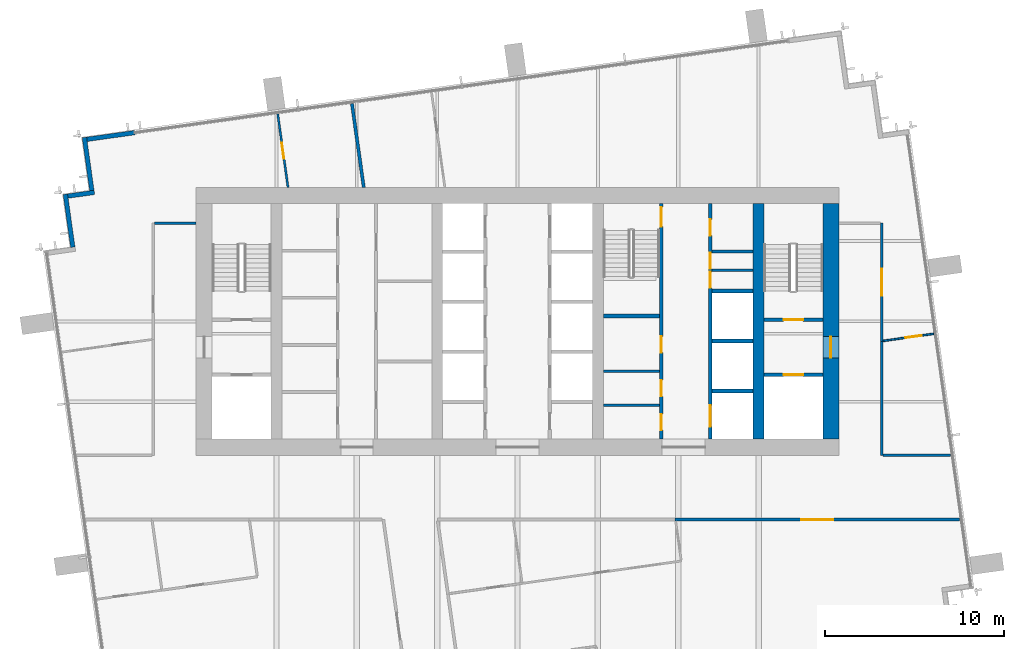
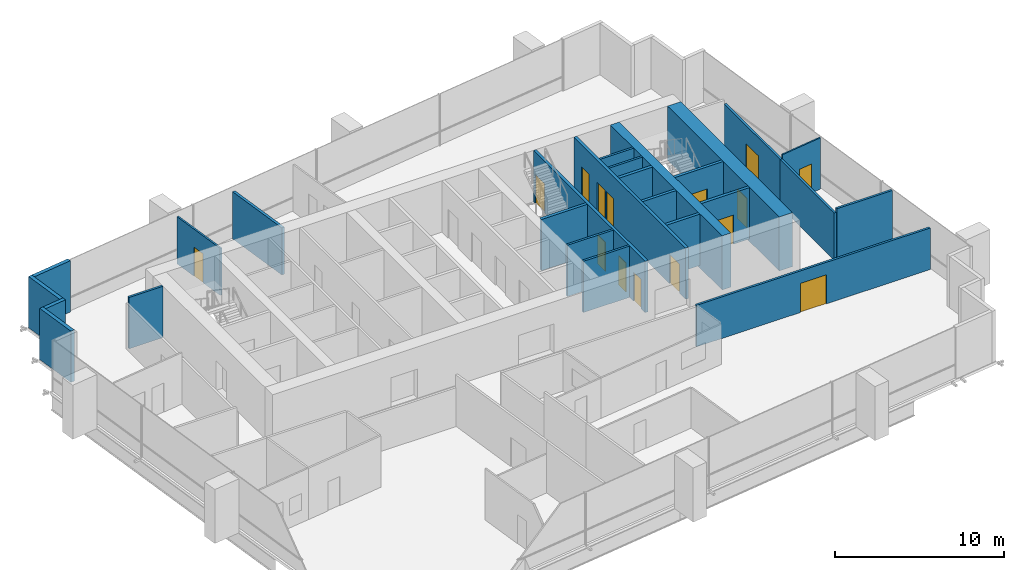
# One storey, part 10 of 12: 26 walls, 15 doors, 15 openings.
"""IFC4 building model written with IfcOpenShell, lengths in metres."""

from ifc_helpers import new_model, si_unit, direction, frame, frame_2d, origin, place, context, subcontext, project, spatial, rectangle, extrude, material, layer, layer_set, type_object, element, fill, save


model = new_model("IFC4")

# Units and contexts
model_context = context("Model", 3, precision=1e-05, world=origin(), true_north=direction((0.0, 1.0)))
body_context = subcontext(model_context, "Body", "Model", "MODEL_VIEW")
ifc_project = project(units=[si_unit("LENGTHUNIT", "METRE"), si_unit("AREAUNIT", "SQUARE_METRE"), si_unit("VOLUMEUNIT", "CUBIC_METRE"), si_unit("PLANEANGLEUNIT", "RADIAN"), si_unit("MASSUNIT", "GRAM", prefix="KILO")], contexts=[model_context])

# Site, building, storey
site_placement = place(None, origin())
site = spatial("IfcSite", under=ifc_project, at=site_placement, CompositionType="ELEMENT")
building_placement = place(site_placement, origin())
building = spatial("IfcBuilding", under=site, at=building_placement, Name="Rattan Terrace Tower", CompositionType="ELEMENT")
storey_placement = place(building_placement, frame((0.0, 0.0, 259.0)))
storey = spatial("IfcBuildingStorey", under=building, at=storey_placement, Name="L59", CompositionType="ELEMENT", Elevation=259.0)

# Walls
ifc_material_1 = material(Name="Gypsum board partition")
ifc_layer_1 = layer(ifc_material_1, 0.14990234375)
ifc_layer_set_1 = layer_set([ifc_layer_1], Name="Core partition 150")
wall_type_1 = type_object("IfcWallType", Name="Core partition 150", PredefinedType="PARTITIONING", material=ifc_layer_set_1)
for number, where, z_axis, x_axis, name in (
    (1, (4.800048828125, -4.696044921875, 0.0), (0.0, 0.0, 1.0), (1.0, 0.0, 0.0), "Toilet wall"),
    (2, (4.800048828125, -2.7919921875, 0.0), (0.0, 0.0, 1.0), (1.0, 0.0, 0.0), "Toilet wall"),
):
    element("IfcWall", number, at=place(storey_placement, frame(where, z_axis=z_axis, x_axis=x_axis)), inside=storey, type_object=wall_type_1, Name=name, PredefinedType="PARTITIONING", context=body_context, shape_type="SweptSolid", body=[
        extrude(rectangle(XDim=3.14990234375, YDim=0.14990234375, at=frame_2d((1.574951171875, 0.0))), origin(), (0.0, 0.0, 1.0), 3.699951171875),
    ])
for number, where, z_axis, x_axis, name in (
    (3, (10.89990234375, 2.85595703125, 0.0), (0.0, 0.0, 1.0), (1.0, 0.0, 0.0), "Riser room wall"),
    (4, (10.89990234375, 3.912109375, 0.0), (0.0, 0.0, 1.0), (1.0, 0.0, 0.0), "Riser room wall"),
):
    element("IfcWall", number, at=place(storey_placement, frame(where, z_axis=z_axis, x_axis=x_axis)), inside=storey, type_object=wall_type_1, Name=name, PredefinedType="PARTITIONING", context=body_context, shape_type="SweptSolid", body=[
        extrude(rectangle(XDim=2.300048828125, YDim=0.14990234375, at=frame_2d((1.14990234375, 0.0))), origin(), (0.0, 0.0, 1.0), 3.699951171875),
    ])

# Wall, opening, door
ifc_material_2 = material(Name="Gypsum board partition")
ifc_layer_2 = layer(ifc_material_2, 0.199951171875)
ifc_layer_set_2 = layer_set([ifc_layer_2], Name="Core partition 200")
wall_type_2 = type_object("IfcWallType", Name="Core partition 200", PredefinedType="PARTITIONING", material=ifc_layer_set_2)
wall_1_placement = place(storey_placement, frame((13.800048828125, -3.0, 0.0), z_axis=(0.0, 0.0, 1.0), x_axis=(1.0, 0.0, 0.0)))
wall_1 = element("IfcWall", 5, at=wall_1_placement, inside=storey, type_object=wall_type_2, Name="Fire-fighting lobby wall", PredefinedType="PARTITIONING", context=body_context, shape_type="SweptSolid", body=[
    extrude(rectangle(XDim=3.300048828125, YDim=0.199951171875, at=frame_2d((1.64990234375, 0.0))), origin(), (0.0, 0.0, 1.0), 3.699951171875),
])
opening_1_placement = place(wall_1_placement, frame((1.10009765625, 0.0, 0.0)))
opening_1 = element("IfcOpeningElement", 6, at=opening_1_placement, cuts=wall_1, Name="Opening L59-LD-FF2", PredefinedType="OPENING", context=body_context, shape_type="SweptSolid", body=[
    extrude(rectangle(XDim=1.10009765625, YDim=2.10009765625, at=frame_2d((0.550048828125, 1.050048828125))), frame((0.0, 0.110595703125, 0.0), z_axis=(0.0, -1.0, 0.0), x_axis=(1.0, 0.0, 0.0)), (0.0, 0.0, 1.0), 0.220947265625),
])
ifc_material_3 = material(Name="Brushed stainless landing door panel")
door_type_1 = type_object("IfcDoorType", Name="Core lift landing door 1100", OperationType="DOUBLE_DOOR_SLIDING", PredefinedType="DOOR", material=ifc_material_3)
door_1_placement = place(opening_1_placement, origin())
door_1 = element("IfcDoor", 7, at=door_1_placement, inside=storey, type_object=door_type_1, Name="Door L59-LD-FF2", OperationType="DOUBLE_DOOR_SLIDING", OverallHeight=2.10009765625, OverallWidth=1.10009765625, PredefinedType="DOOR", context=body_context, shape_type="SweptSolid", body=[
    extrude(rectangle(XDim=1.10009765625, YDim=2.10009765625, at=frame_2d((0.550048828125, 1.050048828125))), frame((0.0, 0.02490234375, 0.0), z_axis=(0.0, -1.0, 0.0), x_axis=(1.0, 0.0, 0.0)), (0.0, 0.0, 1.0), 0.050048828125),
])
fill(opening_1, door_1)

wall_2_placement = place(storey_placement, frame((13.800048828125, 0.10009765625, 0.0), z_axis=(0.0, 0.0, 1.0), x_axis=(1.0, 0.0, 0.0)))
wall_2 = element("IfcWall", 8, at=wall_2_placement, inside=storey, type_object=wall_type_2, Name="Stair enclosure wall", PredefinedType="PARTITIONING", context=body_context, shape_type="SweptSolid", body=[
    extrude(rectangle(XDim=3.300048828125, YDim=0.199951171875, at=frame_2d((1.64990234375, 0.0))), origin(), (0.0, 0.0, 1.0), 3.699951171875),
])
opening_2_placement = place(wall_2_placement, frame((1.10009765625, 0.0, 0.0)))
opening_2 = element("IfcOpeningElement", 9, at=opening_2_placement, cuts=wall_2, Name="Opening L59-D004", PredefinedType="OPENING", context=body_context, shape_type="SweptSolid", body=[
    extrude(rectangle(XDim=1.10009765625, YDim=2.10009765625, at=frame_2d((0.550048828125, 1.050048828125))), frame((0.0, 0.110595703125, 0.0), z_axis=(0.0, -1.0, 0.0), x_axis=(1.0, 0.0, 0.0)), (0.0, 0.0, 1.0), 0.220947265625),
])
ifc_material_4 = material(Name="Hollow-metal fire door leaf")
door_type_2 = type_object("IfcDoorType", Name="Core stair door 1100", OperationType="NOTDEFINED", PredefinedType="DOOR", material=ifc_material_4)
door_2_placement = place(opening_2_placement, origin())
door_2 = element("IfcDoor", 10, at=door_2_placement, inside=storey, type_object=door_type_2, Name="Door L59-D004", OperationType="SINGLE_SWING_RIGHT", OverallHeight=2.10009765625, OverallWidth=1.10009765625, PredefinedType="DOOR", context=body_context, shape_type="SweptSolid", body=[
    extrude(rectangle(XDim=1.10009765625, YDim=2.10009765625, at=frame_2d((0.550048828125, 1.050048828125))), frame((0.0, 0.02490234375, 0.0), z_axis=(0.0, -1.0, 0.0), x_axis=(1.0, 0.0, 0.0)), (0.0, 0.0, 1.0), 0.050048828125),
])
fill(opening_2, door_2)

# Wall, openings, doors
wall_3_placement = place(storey_placement, frame((8.050048828125, -6.60009765625, 0.0), z_axis=(0.0, 0.0, 1.0), x_axis=(0.0, 1.0, 0.0)))
wall_3 = element("IfcWall", 11, at=wall_3_placement, inside=storey, type_object=wall_type_2, Name="Lobby wall west", PredefinedType="PARTITIONING", context=body_context, shape_type="SweptSolid", body=[
    extrude(rectangle(XDim=13.2001953125, YDim=0.199951171875, at=frame_2d((6.60009765625, 0.0))), origin(), (0.0, 0.0, 1.0), 3.699951171875),
])
opening_3_placement = place(wall_3_placement, frame((0.501953125, 0.0, 0.0)))
opening_3 = element("IfcOpeningElement", 12, at=opening_3_placement, cuts=wall_3, Name="Opening L59-D017", PredefinedType="OPENING", context=body_context, shape_type="SweptSolid", body=[
    extrude(rectangle(XDim=0.89990234375, YDim=2.10009765625, at=frame_2d((0.449951171875, 1.050048828125))), frame((0.0, 0.110595703125, 0.0), z_axis=(0.0, -1.0, 0.0), x_axis=(1.0, 0.0, 0.0)), (0.0, 0.0, 1.0), 0.220947265625),
])
opening_4_placement = place(wall_3_placement, frame((2.406005859375, 0.0, 0.0)))
opening_4 = element("IfcOpeningElement", 13, at=opening_4_placement, cuts=wall_3, Name="Opening L59-D018", PredefinedType="OPENING", context=body_context, shape_type="SweptSolid", body=[
    extrude(rectangle(XDim=0.89990234375, YDim=2.10009765625, at=frame_2d((0.449951171875, 1.050048828125))), frame((0.0, 0.110595703125, 0.0), z_axis=(0.0, -1.0, 0.0), x_axis=(1.0, 0.0, 0.0)), (0.0, 0.0, 1.0), 0.220947265625),
])
opening_5_placement = place(wall_3_placement, frame((4.85400390625, 0.0, 0.0)))
opening_5 = element("IfcOpeningElement", 14, at=opening_5_placement, cuts=wall_3, Name="Opening L59-D019", PredefinedType="OPENING", context=body_context, shape_type="SweptSolid", body=[
    extrude(rectangle(XDim=0.89990234375, YDim=2.10009765625, at=frame_2d((0.449951171875, 1.050048828125))), frame((0.0, 0.110595703125, 0.0), z_axis=(0.0, -1.0, 0.0), x_axis=(1.0, 0.0, 0.0)), (0.0, 0.0, 1.0), 0.220947265625),
])
opening_6_placement = place(wall_3_placement, frame((11.89990234375, 0.0, 0.0)))
opening_6 = element("IfcOpeningElement", 15, at=opening_6_placement, cuts=wall_3, Name="Opening L59-D020", PredefinedType="OPENING", context=body_context, shape_type="SweptSolid", body=[
    extrude(rectangle(XDim=1.10009765625, YDim=2.10009765625, at=frame_2d((0.550048828125, 1.050048828125))), frame((0.0, 0.110595703125, 0.0), z_axis=(0.0, -1.0, 0.0), x_axis=(1.0, 0.0, 0.0)), (0.0, 0.0, 1.0), 0.220947265625),
])
door_3_placement = place(opening_6_placement, origin())
door_3 = element("IfcDoor", 16, at=door_3_placement, inside=storey, type_object=door_type_2, Name="Door L59-D020", OperationType="SINGLE_SWING_LEFT", OverallHeight=2.10009765625, OverallWidth=1.10009765625, PredefinedType="DOOR", context=body_context, shape_type="SweptSolid", body=[
    extrude(rectangle(XDim=1.10009765625, YDim=2.10009765625, at=frame_2d((0.550048828125, 1.050048828125))), frame((0.0, 0.02490234375, 0.0), z_axis=(0.0, -1.0, 0.0), x_axis=(1.0, 0.0, 0.0)), (0.0, 0.0, 1.0), 0.050048828125),
])
fill(opening_6, door_3)
ifc_material_5 = material(Name="Hollow-metal fire door leaf")
door_type_3 = type_object("IfcDoorType", Name="Core toilet door 900", OperationType="NOTDEFINED", PredefinedType="DOOR", material=ifc_material_5)
door_4_placement = place(opening_3_placement, origin())
door_4 = element("IfcDoor", 17, at=door_4_placement, inside=storey, type_object=door_type_3, Name="Door L59-D017", OperationType="SINGLE_SWING_RIGHT", OverallHeight=2.10009765625, OverallWidth=0.89990234375, PredefinedType="DOOR", context=body_context, shape_type="SweptSolid", body=[
    extrude(rectangle(XDim=0.89990234375, YDim=2.10009765625, at=frame_2d((0.449951171875, 1.050048828125))), frame((0.0, 0.02490234375, 0.0), z_axis=(0.0, -1.0, 0.0), x_axis=(1.0, 0.0, 0.0)), (0.0, 0.0, 1.0), 0.050048828125),
])
fill(opening_3, door_4)
door_5_placement = place(opening_4_placement, origin())
door_5 = element("IfcDoor", 18, at=door_5_placement, inside=storey, type_object=door_type_3, Name="Door L59-D018", OperationType="SINGLE_SWING_LEFT", OverallHeight=2.10009765625, OverallWidth=0.89990234375, PredefinedType="DOOR", context=body_context, shape_type="SweptSolid", body=[
    extrude(rectangle(XDim=0.89990234375, YDim=2.10009765625, at=frame_2d((0.449951171875, 1.050048828125))), frame((0.0, 0.02490234375, 0.0), z_axis=(0.0, -1.0, 0.0), x_axis=(1.0, 0.0, 0.0)), (0.0, 0.0, 1.0), 0.050048828125),
])
fill(opening_4, door_5)
door_6_placement = place(opening_5_placement, origin())
door_6 = element("IfcDoor", 19, at=door_6_placement, inside=storey, type_object=door_type_3, Name="Door L59-D019", OperationType="SINGLE_SWING_RIGHT", OverallHeight=2.10009765625, OverallWidth=0.89990234375, PredefinedType="DOOR", context=body_context, shape_type="SweptSolid", body=[
    extrude(rectangle(XDim=0.89990234375, YDim=2.10009765625, at=frame_2d((0.449951171875, 1.050048828125))), frame((0.0, 0.02490234375, 0.0), z_axis=(0.0, -1.0, 0.0), x_axis=(1.0, 0.0, 0.0)), (0.0, 0.0, 1.0), 0.050048828125),
])
fill(opening_5, door_6)

# Wall
wall_4_placement = place(storey_placement, frame((4.800048828125, 0.300048828125, 0.0), z_axis=(0.0, 0.0, 1.0), x_axis=(1.0, 0.0, 0.0)))
element("IfcWall", 20, at=wall_4_placement, inside=storey, type_object=wall_type_2, Name="Stair enclosure wall", PredefinedType="PARTITIONING", context=body_context, shape_type="SweptSolid", body=[
    extrude(rectangle(XDim=3.14990234375, YDim=0.199951171875, at=frame_2d((1.574951171875, 0.0))), origin(), (0.0, 0.0, 1.0), 3.699951171875),
])

# Wall, opening, door
ifc_material_6 = material(Name="Concrete C50/60", Category="concrete")
ifc_layer_3 = layer(ifc_material_6, 0.89990234375)
ifc_layer_set_3 = layer_set([ifc_layer_3], Name="Core ring wall 900 C50/60")
wall_type_3 = type_object("IfcWallType", Name="Core ring wall 900 C50/60", PredefinedType="SHEAR", material=ifc_layer_set_3)
wall_5_placement = place(storey_placement, frame((17.550048828125, -6.60009765625, -0.199951171875), z_axis=(0.0, 0.0, 1.0), x_axis=(0.0, 1.0, 0.0)))
wall_5 = element("IfcWall", 21, at=wall_5_placement, inside=storey, type_object=wall_type_3, Name="Rear core wall east", PredefinedType="SHEAR", context=body_context, shape_type="SweptSolid", body=[
    extrude(rectangle(XDim=13.2001953125, YDim=0.89990234375, at=frame_2d((6.60009765625, 0.0))), origin(), (0.0, 0.0, 1.0), 3.89990234375),
])
opening_7_placement = place(wall_5_placement, frame((4.550048828125, 0.0, 0.199951171875)))
opening_7 = element("IfcOpeningElement", 22, at=opening_7_placement, cuts=wall_5, Name="Opening L59-D003", PredefinedType="OPENING", context=body_context, shape_type="SweptSolid", body=[
    extrude(rectangle(XDim=1.199951171875, YDim=2.10009765625, at=frame_2d((0.60009765625, 1.050048828125))), frame((0.0, 0.46044921875, 0.0), z_axis=(0.0, -1.0, 0.0), x_axis=(1.0, 0.0, 0.0)), (0.0, 0.0, 1.0), 0.9208984375),
])
ifc_material_7 = material(Name="Hollow-metal fire door leaf")
door_type_4 = type_object("IfcDoorType", Name="Core fire-fighting lobby door 1200", OperationType="NOTDEFINED", PredefinedType="DOOR", material=ifc_material_7)
door_7_placement = place(opening_7_placement, origin())
door_7 = element("IfcDoor", 23, at=door_7_placement, inside=storey, type_object=door_type_4, Name="Door L59-D003", OperationType="SINGLE_SWING_LEFT", OverallHeight=2.10009765625, OverallWidth=1.199951171875, PredefinedType="DOOR", context=body_context, shape_type="SweptSolid", body=[
    extrude(rectangle(XDim=1.199951171875, YDim=2.10009765625, at=frame_2d((0.60009765625, 1.050048828125))), frame((0.0, 0.02490234375, 0.0), z_axis=(0.0, -1.0, 0.0), x_axis=(1.0, 0.0, 0.0)), (0.0, 0.0, 1.0), 0.050048828125),
])
fill(opening_7, door_7)

# Walls
ifc_material_8 = material(Name="Concrete C50/60", Category="concrete")
ifc_layer_4 = layer(ifc_material_8, 0.60009765625)
ifc_layer_set_4 = layer_set([ifc_layer_4], Name="Core spine wall 600 C50/60")
wall_type_4 = type_object("IfcWallType", Name="Core spine wall 600 C50/60", PredefinedType="SHEAR", material=ifc_layer_set_4)
wall_6_placement = place(storey_placement, frame((13.5, -6.60009765625, -0.199951171875), z_axis=(0.0, 0.0, 1.0), x_axis=(0.0, 1.0, 0.0)))
element("IfcWall", 24, at=wall_6_placement, inside=storey, type_object=wall_type_4, Name="Core spine wall 4", PredefinedType="SHEAR", context=body_context, shape_type="SweptSolid", body=[
    extrude(rectangle(XDim=13.2001953125, YDim=0.60009765625, at=frame_2d((6.60009765625, 0.0))), origin(), (0.0, 0.0, 1.0), 3.89990234375),
])
ifc_material_9 = material(Name="Insulated aluminium-clad stud wall", Category="aluminium")
ifc_layer_5 = layer(ifc_material_9, 0.25)
ifc_layer_set_5 = layer_set([ifc_layer_5], Name="Facade Riser Wall 250")
wall_type_5 = type_object("IfcWallType", Name="Facade Riser Wall 250", PredefinedType="SOLIDWALL", material=ifc_layer_set_5)
wall_7_placement = place(storey_placement, frame((-21.4404296875, 10.571533203125, 0.0), z_axis=(0.0, 0.0, 1.0), x_axis=(-0.990293105353, -0.138994839796, 0.0)))
element("IfcWall", 25, at=wall_7_placement, inside=storey, type_object=wall_type_5, Name="Riser wall L59-11", PredefinedType="SOLIDWALL", context=body_context, shape_type="SweptSolid", body=[
    extrude(rectangle(XDim=2.705078125, YDim=0.25, at=frame_2d((1.3525390625, 0.0))), origin(), (0.0, 0.0, 1.0), 3.699951171875),
])
wall_8_placement = place(storey_placement, frame((-24.260498046875, 10.302001953125, 0.0), z_axis=(0.0, 0.0, 1.0), x_axis=(0.138994228812, -0.990293191109, 0.0)))
element("IfcWall", 26, at=wall_8_placement, inside=storey, type_object=wall_type_5, Name="Riser wall L59-12", PredefinedType="SOLIDWALL", context=body_context, shape_type="SweptSolid", body=[
    extrude(rectangle(XDim=3.0, YDim=0.25, at=frame_2d((1.5, 0.0))), origin(), (0.0, 0.0, 1.0), 3.699951171875),
])
wall_9_placement = place(storey_placement, frame((-23.7021484375, 7.224853515625, 0.0), z_axis=(0.0, 0.0, 1.0), x_axis=(-0.990243596651, -0.13934711799, 0.0)))
element("IfcWall", 27, at=wall_9_placement, inside=storey, type_object=wall_type_5, Name="Riser wall L59-13", PredefinedType="SOLIDWALL", context=body_context, shape_type="SweptSolid", body=[
    extrude(rectangle(XDim=1.499755859375, YDim=0.25, at=frame_2d((0.75, 0.0))), origin(), (0.0, 0.0, 1.0), 3.699951171875),
])
wall_10_placement = place(storey_placement, frame((-25.328369140625, 7.1220703125, 0.0), z_axis=(0.0, 0.0, 1.0), x_axis=(0.139358350296, -0.990242015975, 0.0)))
element("IfcWall", 28, at=wall_10_placement, inside=storey, type_object=wall_type_5, Name="Riser wall L59-14", PredefinedType="SOLIDWALL", context=body_context, shape_type="SweptSolid", body=[
    extrude(rectangle(XDim=2.999267578125, YDim=0.25, at=frame_2d((1.49951171875, 0.0))), origin(), (0.0, 0.0, 1.0), 3.699951171875),
])
ifc_material_10 = material(Name="Double steel stud acoustic partition, gypsum board, mineral wool, fire rated", Category="steel")
ifc_layer_6 = layer(ifc_material_10, 0.179931640625)
ifc_layer_set_6 = layer_set([ifc_layer_6], Name="Floors Acoustic Party Wall 180")
wall_type_6 = type_object("IfcWallType", Name="Floors Acoustic Party Wall 180", PredefinedType="PARTITIONING", material=ifc_layer_set_6)
wall_11_placement = place(storey_placement, frame((-9.27294921875, 12.19091796875, 0.0), z_axis=(0.0, 0.0, 1.0), x_axis=(0.139104789371, -0.990277666907, 0.0)))
element("IfcWall", 29, at=wall_11_placement, inside=storey, type_object=wall_type_6, Name="pt-L59-034", PredefinedType="PARTITIONING", context=body_context, shape_type="SweptSolid", body=[
    extrude(rectangle(XDim=4.737060546875, YDim=0.179931640625, at=frame_2d((2.36865234375, 0.0))), origin(), (0.0, 0.0, 1.0), 3.39990234375),
])

# Wall, opening, door
ifc_material_11 = material(Name="Gypsum board partition on steel studs", Category="steel")
ifc_layer_7 = layer(ifc_material_11, 0.10009765625)
ifc_layer_set_7 = layer_set([ifc_layer_7], Name="Floors Partition 100")
wall_type_7 = type_object("IfcWallType", Name="Floors Partition 100", PredefinedType="PARTITIONING", material=ifc_layer_set_7)
wall_12_placement = place(storey_placement, frame((23.302978515625, -0.697021484375, 0.0), z_axis=(0.0, 0.0, 1.0), x_axis=(-0.990291093887, -0.139009170086, 0.0)))
wall_12 = element("IfcWall", 30, at=wall_12_placement, inside=storey, type_object=wall_type_7, Name="pt-L59-035", PredefinedType="PARTITIONING", context=body_context, shape_type="SweptSolid", body=[
    extrude(rectangle(XDim=2.86279296875, YDim=0.10009765625, at=frame_2d((1.431396484375, 0.0))), origin(), (0.0, 0.0, 1.0), 3.699951171875),
])
opening_8_placement = place(wall_12_placement, frame((0.68896484375, 0.0, 0.0)))
opening_8 = element("IfcOpeningElement", 31, at=opening_8_placement, cuts=wall_12, Name="Opening L59-D112", PredefinedType="OPENING", context=body_context, shape_type="SweptSolid", body=[
    extrude(rectangle(XDim=0.89990234375, YDim=2.10009765625, at=frame_2d((0.449951171875, 1.050048828125))), frame((0.0, 0.060546875, 0.0), z_axis=(0.0, -1.0, 0.0), x_axis=(1.0, 0.0, 0.0)), (0.0, 0.0, 1.0), 0.12109375),
])
ifc_material_12 = material(Name="Solid core timber door, painted", Category="wood")
door_type_5 = type_object("IfcDoorType", Name="Floors Door 900x2100", OperationType="NOTDEFINED", PredefinedType="DOOR", material=ifc_material_12)
door_8_placement = place(opening_8_placement, origin())
door_8 = element("IfcDoor", 32, at=door_8_placement, inside=storey, type_object=door_type_5, Name="d-L59-112", OperationType="SINGLE_SWING_LEFT", OverallHeight=2.10009765625, OverallWidth=0.89990234375, PredefinedType="DOOR", context=body_context, shape_type="SweptSolid", body=[
    extrude(rectangle(XDim=0.89990234375, YDim=2.10009765625, at=frame_2d((0.449951171875, 1.050048828125))), frame((0.0, 0.02490234375, 0.0), z_axis=(0.0, -1.0, 0.0), x_axis=(1.0, 0.0, 0.0)), (0.0, 0.0, 1.0), 0.050048828125),
])
fill(opening_8, door_8)

ifc_material_13 = material(Name="Gypsum board partition on steel studs, fire rated", Category="steel")
ifc_layer_8 = layer(ifc_material_13, 0.14990234375)
ifc_layer_set_8 = layer_set([ifc_layer_8], Name="Floors Tenancy Wall 150")
wall_type_8 = type_object("IfcWallType", Name="Floors Tenancy Wall 150", PredefinedType="PARTITIONING", material=ifc_layer_set_8)
wall_13_placement = place(storey_placement, frame((24.764892578125, -11.10009765625, 0.0), z_axis=(0.0, 0.0, 1.0), x_axis=(-1.0, 0.0, 0.0)))
wall_13 = element("IfcWall", 33, at=wall_13_placement, inside=storey, type_object=wall_type_8, Name="pt-L59-007", PredefinedType="PARTITIONING", context=body_context, shape_type="SweptSolid", body=[
    extrude(rectangle(XDim=15.94091796875, YDim=0.14990234375, at=frame_2d((7.970458984375, 0.0))), origin(), (0.0, 0.0, 1.0), 3.0),
])
opening_9_placement = place(wall_13_placement, frame((7.070068359375, 0.0, 0.0)))
opening_9 = element("IfcOpeningElement", 34, at=opening_9_placement, cuts=wall_13, Name="Opening L59-D104", PredefinedType="OPENING", context=body_context, shape_type="SweptSolid", body=[
    extrude(rectangle(XDim=1.800048828125, YDim=2.10009765625, at=frame_2d((0.89990234375, 1.050048828125))), frame((0.0, 0.08544921875, 0.0), z_axis=(0.0, -1.0, 0.0), x_axis=(1.0, 0.0, 0.0)), (0.0, 0.0, 1.0), 0.1708984375),
])
ifc_material_14 = material(Name="Steel fire door set", Category="steel")
door_type_6 = type_object("IfcDoorType", Name="Floors Fire Door Pair FD30S 1800x2100", OperationType="NOTDEFINED", PredefinedType="DOOR", material=ifc_material_14)
door_9_placement = place(opening_9_placement, origin())
door_9 = element("IfcDoor", 35, at=door_9_placement, inside=storey, type_object=door_type_6, Name="d-L59-104", OperationType="DOUBLE_DOOR_SINGLE_SWING", OverallHeight=2.10009765625, OverallWidth=1.800048828125, PredefinedType="DOOR", context=body_context, shape_type="SweptSolid", body=[
    extrude(rectangle(XDim=1.800048828125, YDim=2.10009765625, at=frame_2d((0.89990234375, 1.050048828125))), frame((0.0, 0.02490234375, 0.0), z_axis=(0.0, -1.0, 0.0), x_axis=(1.0, 0.0, 0.0)), (0.0, 0.0, 1.0), 0.050048828125),
])
fill(opening_9, door_9)

# Wall
wall_14_placement = place(storey_placement, frame((-20.324951171875, 5.5009765625, 0.0), z_axis=(0.0, 0.0, 1.0), x_axis=(1.0, 0.0, 0.0)))
element("IfcWall", 36, at=wall_14_placement, inside=storey, type_object=wall_type_8, Name="pt-L59-013", PredefinedType="PARTITIONING", context=body_context, shape_type="SweptSolid", body=[
    extrude(rectangle(XDim=2.324951171875, YDim=0.14990234375, at=frame_2d((1.16259765625, 0.0))), origin(), (0.0, 0.0, 1.0), 3.699951171875),
])

# Wall, opening, door
wall_15_placement = place(storey_placement, frame((20.39990234375, 5.5, 0.0), z_axis=(0.0, 0.0, 1.0), x_axis=(0.0, -1.0, 0.0)))
wall_15 = element("IfcWall", 37, at=wall_15_placement, inside=storey, type_object=wall_type_8, Name="pt-L59-017", PredefinedType="PARTITIONING", context=body_context, shape_type="SweptSolid", body=[
    extrude(rectangle(XDim=6.625, YDim=0.14990234375, at=frame_2d((3.3125, 0.0))), origin(), (0.0, 0.0, 1.0), 3.39990234375),
])
opening_10_placement = place(wall_15_placement, frame((2.56201171875, 0.0, 0.0)))
opening_10 = element("IfcOpeningElement", 38, at=opening_10_placement, cuts=wall_15, Name="Opening L59-D111", PredefinedType="OPENING", context=body_context, shape_type="SweptSolid", body=[
    extrude(rectangle(XDim=1.5, YDim=2.10009765625, at=frame_2d((0.75, 1.050048828125))), frame((0.0, 0.08544921875, 0.0), z_axis=(0.0, -1.0, 0.0), x_axis=(1.0, 0.0, 0.0)), (0.0, 0.0, 1.0), 0.1708984375),
])
ifc_material_15 = material(Name="Steel fire door set", Category="steel")
door_type_7 = type_object("IfcDoorType", Name="Floors Unit Door Pair FD30S 1500x2100", OperationType="NOTDEFINED", PredefinedType="DOOR", material=ifc_material_15)
door_10_placement = place(opening_10_placement, origin())
door_10 = element("IfcDoor", 39, at=door_10_placement, inside=storey, type_object=door_type_7, Name="d-L59-111", OperationType="DOUBLE_DOOR_SINGLE_SWING", OverallHeight=2.10009765625, OverallWidth=1.5, PredefinedType="DOOR", context=body_context, shape_type="SweptSolid", body=[
    extrude(rectangle(XDim=1.5, YDim=2.10009765625, at=frame_2d((0.75, 1.050048828125))), frame((0.0, 0.02490234375, 0.0), z_axis=(0.0, -1.0, 0.0), x_axis=(1.0, 0.0, 0.0)), (0.0, 0.0, 1.0), 0.050048828125),
])
fill(opening_10, door_10)

# Walls
wall_16_placement = place(storey_placement, frame((20.39990234375, -1.125, 0.0), z_axis=(0.0, 0.0, 1.0), x_axis=(0.0, -1.0, 0.0)))
element("IfcWall", 40, at=wall_16_placement, inside=storey, type_object=wall_type_8, Name="pt-L59-018", PredefinedType="PARTITIONING", context=body_context, shape_type="SweptSolid", body=[
    extrude(rectangle(XDim=6.375, YDim=0.14990234375, at=frame_2d((3.1875, 0.0))), origin(), (0.0, 0.0, 1.0), 3.39990234375),
])
wall_17_placement = place(storey_placement, frame((20.47509765625, -7.5, 0.0), z_axis=(0.0, 0.0, 1.0), x_axis=(1.0, 0.0, 0.0)))
element("IfcWall", 41, at=wall_17_placement, inside=storey, type_object=wall_type_8, Name="pt-L59-019", PredefinedType="PARTITIONING", context=body_context, shape_type="SweptSolid", body=[
    extrude(rectangle(XDim=3.783935546875, YDim=0.14990234375, at=frame_2d((1.89208984375, 0.0))), origin(), (0.0, 0.0, 1.0), 3.699951171875),
])

# Wall, opening, door
ifc_material_16 = material(Name="Moisture resistant gypsum board partition on steel studs with service cavity", Category="steel")
ifc_layer_9 = layer(ifc_material_16, 0.1201171875)
ifc_layer_set_9 = layer_set([ifc_layer_9], Name="Floors Wet Wall 120")
wall_type_9 = type_object("IfcWallType", Name="Floors Wet Wall 120", PredefinedType="PARTITIONING", material=ifc_layer_set_9)
wall_18_placement = place(storey_placement, frame((-13.431884765625, 11.60693359375, 0.0), z_axis=(0.0, 0.0, 1.0), x_axis=(0.139105101842, -0.990277623014, 0.0)))
wall_18 = element("IfcWall", 42, at=wall_18_placement, inside=storey, type_object=wall_type_9, Name="pt-L59-033", PredefinedType="PARTITIONING", context=body_context, shape_type="SweptSolid", body=[
    extrude(rectangle(XDim=4.147216796875, YDim=0.1201171875, at=frame_2d((2.07373046875, 0.0))), origin(), (0.0, 0.0, 1.0), 3.39990234375),
])
opening_11_placement = place(wall_18_placement, frame((1.6240234375, 0.0, 0.0)))
opening_11 = element("IfcOpeningElement", 43, at=opening_11_placement, cuts=wall_18, Name="Opening L59-D110", PredefinedType="OPENING", context=body_context, shape_type="SweptSolid", body=[
    extrude(rectangle(XDim=0.89990234375, YDim=2.10009765625, at=frame_2d((0.449951171875, 1.050048828125))), frame((0.0, 0.070556640625, 0.0), z_axis=(0.0, -1.0, 0.0), x_axis=(1.0, 0.0, 0.0)), (0.0, 0.0, 1.0), 0.14111328125),
])
door_11_placement = place(opening_11_placement, origin())
door_11 = element("IfcDoor", 44, at=door_11_placement, inside=storey, type_object=door_type_5, Name="d-L59-110", OperationType="SINGLE_SWING_LEFT", OverallHeight=2.10009765625, OverallWidth=0.89990234375, PredefinedType="DOOR", context=body_context, shape_type="SweptSolid", body=[
    extrude(rectangle(XDim=0.89990234375, YDim=2.10009765625, at=frame_2d((0.449951171875, 1.050048828125))), frame((0.0, 0.02490234375, 0.0), z_axis=(0.0, -1.0, 0.0), x_axis=(1.0, 0.0, 0.0)), (0.0, 0.0, 1.0), 0.050048828125),
])
fill(opening_11, door_11)

# Wall, openings, doors
ifc_material_17 = material(Name="Gypsum shaft wall system")
ifc_layer_10 = layer(ifc_material_17, 0.199951171875)
ifc_layer_set_10 = layer_set([ifc_layer_10], Name="Lift shaft wall 200")
wall_type_10 = type_object("IfcWallType", Name="Lift shaft wall 200", PredefinedType="PARTITIONING", material=ifc_layer_set_10)
wall_19_placement = place(storey_placement, frame((10.800048828125, -6.60009765625, 0.0), z_axis=(0.0, 0.0, 1.0), x_axis=(0.0, 1.0, 0.0)))
wall_19 = element("IfcWall", 45, at=wall_19_placement, inside=storey, type_object=wall_type_10, Name="Lift shaft front wall", PredefinedType="PARTITIONING", context=body_context, shape_type="SweptSolid", body=[
    extrude(rectangle(XDim=13.2001953125, YDim=0.199951171875, at=frame_2d((6.60009765625, 0.0))), origin(), (0.0, 0.0, 1.0), 3.699951171875),
])
opening_12_placement = place(wall_19_placement, frame((0.699951171875, 0.0, 0.0)))
opening_12 = element("IfcOpeningElement", 46, at=opening_12_placement, cuts=wall_19, Name="Opening L59-LD-SV1", PredefinedType="OPENING", context=body_context, shape_type="SweptSolid", body=[
    extrude(rectangle(XDim=1.199951171875, YDim=2.10009765625, at=frame_2d((0.60009765625, 1.050048828125))), frame((0.0, 0.110595703125, 0.0), z_axis=(0.0, -1.0, 0.0), x_axis=(1.0, 0.0, 0.0)), (0.0, 0.0, 1.0), 0.220947265625),
])
opening_13_placement = place(wall_19_placement, frame((8.47802734375, 0.0, 0.0)))
opening_13 = element("IfcOpeningElement", 47, at=opening_13_placement, cuts=wall_19, Name="Opening L59-D022", PredefinedType="OPENING", context=body_context, shape_type="SweptSolid", body=[
    extrude(rectangle(XDim=0.89990234375, YDim=2.10009765625, at=frame_2d((0.449951171875, 1.050048828125))), frame((0.0, 0.110595703125, 0.0), z_axis=(0.0, -1.0, 0.0), x_axis=(1.0, 0.0, 0.0)), (0.0, 0.0, 1.0), 0.220947265625),
])
opening_14_placement = place(wall_19_placement, frame((9.533935546875, 0.0, 0.0)))
opening_14 = element("IfcOpeningElement", 48, at=opening_14_placement, cuts=wall_19, Name="Opening L59-D023", PredefinedType="OPENING", context=body_context, shape_type="SweptSolid", body=[
    extrude(rectangle(XDim=0.89990234375, YDim=2.10009765625, at=frame_2d((0.449951171875, 1.050048828125))), frame((0.0, 0.110595703125, 0.0), z_axis=(0.0, -1.0, 0.0), x_axis=(1.0, 0.0, 0.0)), (0.0, 0.0, 1.0), 0.220947265625),
])
opening_15_placement = place(wall_19_placement, frame((11.406005859375, 0.0, 0.0)))
opening_15 = element("IfcOpeningElement", 49, at=opening_15_placement, cuts=wall_19, Name="Opening L59-D024", PredefinedType="OPENING", context=body_context, shape_type="SweptSolid", body=[
    extrude(rectangle(XDim=0.89990234375, YDim=2.10009765625, at=frame_2d((0.449951171875, 1.050048828125))), frame((0.0, 0.110595703125, 0.0), z_axis=(0.0, -1.0, 0.0), x_axis=(1.0, 0.0, 0.0)), (0.0, 0.0, 1.0), 0.220947265625),
])
ifc_material_18 = material(Name="Brushed stainless landing door panel")
door_type_8 = type_object("IfcDoorType", Name="Core lift landing door 1200", OperationType="DOUBLE_DOOR_SLIDING", PredefinedType="DOOR", material=ifc_material_18)
door_12_placement = place(opening_12_placement, origin())
door_12 = element("IfcDoor", 50, at=door_12_placement, inside=storey, type_object=door_type_8, Name="Door L59-LD-SV1", OperationType="DOUBLE_DOOR_SLIDING", OverallHeight=2.10009765625, OverallWidth=1.199951171875, PredefinedType="DOOR", context=body_context, shape_type="SweptSolid", body=[
    extrude(rectangle(XDim=1.199951171875, YDim=2.10009765625, at=frame_2d((0.60009765625, 1.050048828125))), frame((0.0, 0.02490234375, 0.0), z_axis=(0.0, -1.0, 0.0), x_axis=(1.0, 0.0, 0.0)), (0.0, 0.0, 1.0), 0.050048828125),
])
fill(opening_12, door_12)
ifc_material_19 = material(Name="Hollow-metal fire door leaf")
door_type_9 = type_object("IfcDoorType", Name="Core riser door 900", OperationType="NOTDEFINED", PredefinedType="DOOR", material=ifc_material_19)
door_13_placement = place(opening_13_placement, origin())
door_13 = element("IfcDoor", 51, at=door_13_placement, inside=storey, type_object=door_type_9, Name="Door L59-D022", OperationType="SINGLE_SWING_RIGHT", OverallHeight=2.10009765625, OverallWidth=0.89990234375, PredefinedType="DOOR", context=body_context, shape_type="SweptSolid", body=[
    extrude(rectangle(XDim=0.89990234375, YDim=2.10009765625, at=frame_2d((0.449951171875, 1.050048828125))), frame((0.0, 0.02490234375, 0.0), z_axis=(0.0, -1.0, 0.0), x_axis=(1.0, 0.0, 0.0)), (0.0, 0.0, 1.0), 0.050048828125),
])
fill(opening_13, door_13)
door_14_placement = place(opening_14_placement, origin())
door_14 = element("IfcDoor", 52, at=door_14_placement, inside=storey, type_object=door_type_9, Name="Door L59-D023", OperationType="SINGLE_SWING_LEFT", OverallHeight=2.10009765625, OverallWidth=0.89990234375, PredefinedType="DOOR", context=body_context, shape_type="SweptSolid", body=[
    extrude(rectangle(XDim=0.89990234375, YDim=2.10009765625, at=frame_2d((0.449951171875, 1.050048828125))), frame((0.0, 0.02490234375, 0.0), z_axis=(0.0, -1.0, 0.0), x_axis=(1.0, 0.0, 0.0)), (0.0, 0.0, 1.0), 0.050048828125),
])
fill(opening_14, door_14)
ifc_material_20 = material(Name="Hollow-metal fire door leaf")
door_type_10 = type_object("IfcDoorType", Name="Core service room door 900", OperationType="NOTDEFINED", PredefinedType="DOOR", material=ifc_material_20)
door_15_placement = place(opening_15_placement, origin())
door_15 = element("IfcDoor", 53, at=door_15_placement, inside=storey, type_object=door_type_10, Name="Door L59-D024", OperationType="SINGLE_SWING_RIGHT", OverallHeight=2.10009765625, OverallWidth=0.89990234375, PredefinedType="DOOR", context=body_context, shape_type="SweptSolid", body=[
    extrude(rectangle(XDim=0.89990234375, YDim=2.10009765625, at=frame_2d((0.449951171875, 1.050048828125))), frame((0.0, 0.02490234375, 0.0), z_axis=(0.0, -1.0, 0.0), x_axis=(1.0, 0.0, 0.0)), (0.0, 0.0, 1.0), 0.050048828125),
])
fill(opening_15, door_15)

# Walls
for number, where, z_axis, x_axis, name in (
    (54, (10.89990234375, -3.89990234375, 0.0), (0.0, 0.0, 1.0), (1.0, 0.0, 0.0), "Lift shaft wall"),
    (55, (10.89990234375, -1.10009765625, 0.0), (0.0, 0.0, 1.0), (1.0, 0.0, 0.0), "Lift shaft wall"),
    (56, (10.89990234375, 1.699951171875, 0.0), (0.0, 0.0, 1.0), (1.0, 0.0, 0.0), "Lift shaft wall"),
):
    element("IfcWall", number, at=place(storey_placement, frame(where, z_axis=z_axis, x_axis=x_axis)), inside=storey, type_object=wall_type_10, Name=name, PredefinedType="PARTITIONING", context=body_context, shape_type="SweptSolid", body=[
        extrude(rectangle(XDim=2.300048828125, YDim=0.199951171875, at=frame_2d((1.14990234375, 0.0))), origin(), (0.0, 0.0, 1.0), 3.699951171875),
    ])

save(model, "model.ifc")
